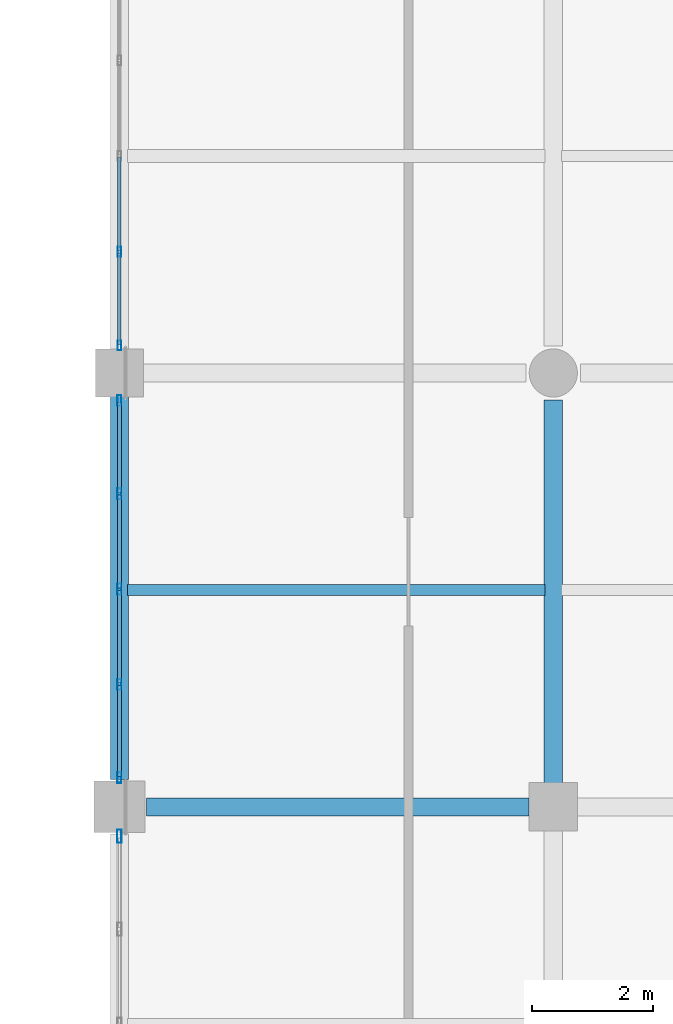
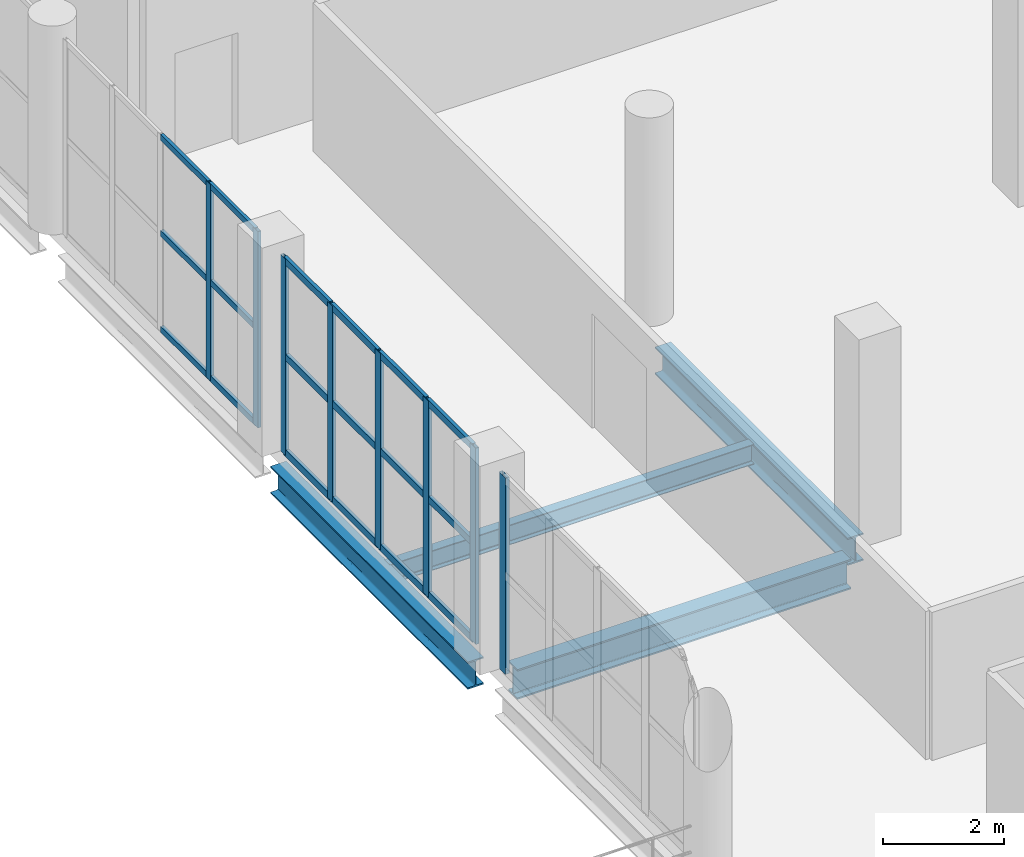
# One storey, part 79 of 153: 26 members, 4 beams, 3 elements without a shape of their own.
"""IFC4 building model written with IfcOpenShell, lengths in metres."""

from ifc_helpers import new_model, si_unit, direction, frame, origin, origin_2d, place, context, subcontext, project, spatial, hollow_rectangle, i_section, extrude, material, material_profile, profile_set, type_object, element, aggregate, save


model = new_model("IFC4")

# Units and contexts
model_context = context("Model", 3, precision=1e-05, world=origin(), true_north=direction((0.0, 1.0)))
body_context = subcontext(model_context, "Body", "Model", "MODEL_VIEW")
ifc_project = project(units=[si_unit("LENGTHUNIT", "METRE"), si_unit("AREAUNIT", "SQUARE_METRE"), si_unit("VOLUMEUNIT", "CUBIC_METRE"), si_unit("PLANEANGLEUNIT", "RADIAN"), si_unit("MASSUNIT", "GRAM", prefix="KILO")], contexts=[model_context])

# Site, building, storey
site_placement = place(None, origin())
site = spatial("IfcSite", under=ifc_project, at=site_placement, CompositionType="ELEMENT")
building_placement = place(site_placement, origin())
building = spatial("IfcBuilding", under=site, at=building_placement, Name="Qandorah Velis Arena", CompositionType="ELEMENT")
storey_placement = place(building_placement, frame((0.0, 0.0, 5.39990234375)))
storey = spatial("IfcBuildingStorey", under=building, at=storey_placement, Name="L01", CompositionType="ELEMENT", Elevation=5.39990234375)

# Curtain wall, members
ifc_material_1 = material(Name="Solar-control low-E double glazing", Category="glass")
curtain_wall_type_1 = type_object("IfcCurtainWallType", Name="ARC-CW-SYS03", PredefinedType="USERDEFINED", material=ifc_material_1)
curtain_wall_1_placement = place(storey_placement, origin())
curtain_wall_1 = element("IfcCurtainWall", 1, at=curtain_wall_1_placement, inside=storey, type_object=curtain_wall_type_1, Name="Unitised curtain wall L01-123", ObjectType="UNITISED CURTAIN WALL", PredefinedType="USERDEFINED")
ifc_material_2 = material(Name="Champagne-bronze anodized aluminium 6063-T6", Category="aluminium")
ifc_material_profile_1 = material_profile(ifc_material_2, hollow_rectangle(XDim=0.06005859375, YDim=0.159912109375, WallThickness=0.00341796875, at=origin_2d()), Name="ALU MULLION 60x160")
ifc_profile_set_1 = profile_set([ifc_material_profile_1], Name="Champagne-bronze anodized aluminium 6063-T6")
member_type_1 = type_object("IfcMemberType", Name="ARC-CWM-160", PredefinedType="MULLION", material=ifc_profile_set_1)
member_1_placement = place(storey_placement, frame((151.199951171875, 72.455078125, -0.014892578125), z_axis=(0.0, 0.0, 1.0), x_axis=(-1.0, 0.0, 0.0)))
member_1 = element("IfcMember", 2, at=member_1_placement, type_object=member_type_1, Name="CW03 mullion 1", PredefinedType="MULLION", context=body_context, shape_type="SweptSolid", body=[
    extrude(hollow_rectangle(XDim=0.06005859375, YDim=0.159912109375, WallThickness=0.00341796875, at=origin_2d()), origin(), (0.0, 0.0, 1.0), 3.949951171875),
])
member_2_placement = place(storey_placement, frame((151.199951171875, 74.012451171875, -0.014892578125), z_axis=(0.0, 0.0, 1.0), x_axis=(-1.0, 0.0, 0.0)))
member_2 = element("IfcMember", 3, at=member_2_placement, type_object=member_type_1, Name="CW03 mullion 2", PredefinedType="MULLION", context=body_context, shape_type="SweptSolid", body=[
    extrude(hollow_rectangle(XDim=0.06005859375, YDim=0.159912109375, WallThickness=0.00341796875, at=origin_2d()), origin(), (0.0, 0.0, 1.0), 3.949951171875),
])

curtain_wall_type_2 = type_object("IfcCurtainWallType", Name="ARC-CW-SYS02", PredefinedType="USERDEFINED", material=ifc_material_1)
curtain_wall_2_placement = place(storey_placement, origin())
curtain_wall_2 = element("IfcCurtainWall", 4, at=curtain_wall_2_placement, inside=storey, type_object=curtain_wall_type_2, Name="Unitised curtain wall L01-122", ObjectType="UNITISED CURTAIN WALL", PredefinedType="USERDEFINED")
ifc_material_profile_2 = material_profile(ifc_material_2, hollow_rectangle(XDim=0.06494140625, YDim=0.179931640625, WallThickness=0.00341796875, at=origin_2d()), Name="ALU MULLION 65x180")
ifc_profile_set_2 = profile_set([ifc_material_profile_2], Name="Champagne-bronze anodized aluminium 6063-T6")
member_type_2 = type_object("IfcMemberType", Name="ARC-CWM-180", PredefinedType="MULLION", material=ifc_profile_set_2)
member_3_placement = place(storey_placement, frame((151.199951171875, 65.282470703125, -0.014892578125), z_axis=(0.0, 0.0, 1.0), x_axis=(-1.0, 0.0, 0.0)))
member_3 = element("IfcMember", 5, at=member_3_placement, type_object=member_type_2, Name="CW02 mullion 1", PredefinedType="MULLION", context=body_context, shape_type="SweptSolid", body=[
    extrude(hollow_rectangle(XDim=0.06494140625, YDim=0.179931640625, WallThickness=0.00341796875, at=origin_2d()), origin(), (0.0, 0.0, 1.0), 3.949951171875),
])
member_4_placement = place(storey_placement, frame((151.199951171875, 66.831298828125, -0.014892578125), z_axis=(0.0, 0.0, 1.0), x_axis=(-1.0, 0.0, 0.0)))
member_4 = element("IfcMember", 6, at=member_4_placement, type_object=member_type_2, Name="CW02 mullion 2", PredefinedType="MULLION", context=body_context, shape_type="SweptSolid", body=[
    extrude(hollow_rectangle(XDim=0.06494140625, YDim=0.179931640625, WallThickness=0.00341796875, at=origin_2d()), origin(), (0.0, 0.0, 1.0), 3.949951171875),
])
member_5_placement = place(storey_placement, frame((151.199951171875, 68.41259765625, -0.014892578125), z_axis=(0.0, 0.0, 1.0), x_axis=(-1.0, 0.0, 0.0)))
member_5 = element("IfcMember", 7, at=member_5_placement, type_object=member_type_2, Name="CW02 mullion 3", PredefinedType="MULLION", context=body_context, shape_type="SweptSolid", body=[
    extrude(hollow_rectangle(XDim=0.06494140625, YDim=0.179931640625, WallThickness=0.00341796875, at=origin_2d()), origin(), (0.0, 0.0, 1.0), 3.949951171875),
])
member_6_placement = place(storey_placement, frame((151.199951171875, 69.99365234375, -0.014892578125), z_axis=(0.0, 0.0, 1.0), x_axis=(-1.0, 0.0, 0.0)))
member_6 = element("IfcMember", 8, at=member_6_placement, type_object=member_type_2, Name="CW02 mullion 4", PredefinedType="MULLION", context=body_context, shape_type="SweptSolid", body=[
    extrude(hollow_rectangle(XDim=0.06494140625, YDim=0.179931640625, WallThickness=0.00341796875, at=origin_2d()), origin(), (0.0, 0.0, 1.0), 3.949951171875),
])
member_7_placement = place(storey_placement, frame((151.199951171875, 71.54248046875, -0.014892578125), z_axis=(0.0, 0.0, 1.0), x_axis=(-1.0, 0.0, 0.0)))
member_7 = element("IfcMember", 9, at=member_7_placement, type_object=member_type_2, Name="CW02 mullion 5", PredefinedType="MULLION", context=body_context, shape_type="SweptSolid", body=[
    extrude(hollow_rectangle(XDim=0.06494140625, YDim=0.179931640625, WallThickness=0.00341796875, at=origin_2d()), origin(), (0.0, 0.0, 1.0), 3.949951171875),
])

# Curtain wall, member
curtain_wall_type_3 = type_object("IfcCurtainWallType", Name="ARC-CW-SYS01", PredefinedType="USERDEFINED", material=ifc_material_1)
curtain_wall_3_placement = place(storey_placement, origin())
curtain_wall_3 = element("IfcCurtainWall", 10, at=curtain_wall_3_placement, inside=storey, type_object=curtain_wall_type_3, Name="Unitised curtain wall L01-121", ObjectType="UNITISED CURTAIN WALL", PredefinedType="USERDEFINED")
ifc_material_profile_3 = material_profile(ifc_material_2, hollow_rectangle(XDim=0.074951171875, YDim=0.219970703125, WallThickness=0.00390625, at=origin_2d()), Name="ALU MULLION 75x220")
ifc_profile_set_3 = profile_set([ifc_material_profile_3], Name="Champagne-bronze anodized aluminium 6063-T6")
member_type_3 = type_object("IfcMemberType", Name="ARC-CWM-220", PredefinedType="MULLION", material=ifc_profile_set_3)
member_8_placement = place(storey_placement, frame((151.199951171875, 64.3125, -0.014892578125), z_axis=(0.0, 0.0, 1.0), x_axis=(-1.0, 0.0, 0.0)))
member_8 = element("IfcMember", 11, at=member_8_placement, type_object=member_type_3, Name="CW01 mullion 5", PredefinedType="MULLION", context=body_context, shape_type="SweptSolid", body=[
    extrude(hollow_rectangle(XDim=0.074951171875, YDim=0.219970703125, WallThickness=0.00390625, at=origin_2d()), origin(), (0.0, 0.0, 1.0), 3.949951171875),
])
aggregate(curtain_wall_3, [member_8])

# Member
ifc_material_profile_4 = material_profile(ifc_material_2, hollow_rectangle(XDim=0.06005859375, YDim=0.1201171875, WallThickness=0.0029296875, at=origin_2d()), Name="ALU TRANSOM 60x120")
ifc_profile_set_4 = profile_set([ifc_material_profile_4], Name="Champagne-bronze anodized aluminium 6063-T6")
member_type_4 = type_object("IfcMemberType", Name="ARC-CWT-120", PredefinedType="USERDEFINED", material=ifc_profile_set_4)
member_9_placement = place(storey_placement, frame((151.199951171875, 72.472900390625, 0.030029296875), z_axis=(0.0, 1.0, 0.0), x_axis=(-1.0, 0.0, 0.0)))
member_9 = element("IfcMember", 12, at=member_9_placement, type_object=member_type_4, Name="CW03 transom 1.1", ObjectType="TRANSOM", PredefinedType="USERDEFINED", context=body_context, shape_type="SweptSolid", body=[
    extrude(hollow_rectangle(XDim=0.06005859375, YDim=0.1201171875, WallThickness=0.0029296875, at=origin_2d()), origin(), (0.0, 0.0, 1.0), 1.521484375),
])

member_10_placement = place(storey_placement, frame((151.199951171875, 72.472900390625, 1.960205078125), z_axis=(0.0, 1.0, 0.0), x_axis=(-1.0, 0.0, 0.0)))
member_10 = element("IfcMember", 13, at=member_10_placement, type_object=member_type_4, Name="CW03 transom 1.2", ObjectType="TRANSOM", PredefinedType="USERDEFINED", context=body_context, shape_type="SweptSolid", body=[
    extrude(hollow_rectangle(XDim=0.06005859375, YDim=0.1201171875, WallThickness=0.0029296875, at=origin_2d()), origin(), (0.0, 0.0, 1.0), 1.521484375),
])

member_11_placement = place(storey_placement, frame((151.199951171875, 72.472900390625, 3.89013671875), z_axis=(0.0, 1.0, 0.0), x_axis=(-1.0, 0.0, 0.0)))
member_11 = element("IfcMember", 14, at=member_11_placement, type_object=member_type_4, Name="CW03 transom 1.3", ObjectType="TRANSOM", PredefinedType="USERDEFINED", context=body_context, shape_type="SweptSolid", body=[
    extrude(hollow_rectangle(XDim=0.06005859375, YDim=0.1201171875, WallThickness=0.0029296875, at=origin_2d()), origin(), (0.0, 0.0, 1.0), 1.521484375),
])

member_12_placement = place(storey_placement, frame((151.199951171875, 74.030517578125, 0.030029296875), z_axis=(0.0, 1.0, 0.0), x_axis=(-1.0, 0.0, 0.0)))
member_12 = element("IfcMember", 15, at=member_12_placement, type_object=member_type_4, Name="CW03 transom 2.1", ObjectType="TRANSOM", PredefinedType="USERDEFINED", context=body_context, shape_type="SweptSolid", body=[
    extrude(hollow_rectangle(XDim=0.06005859375, YDim=0.1201171875, WallThickness=0.0029296875, at=origin_2d()), origin(), (0.0, 0.0, 1.0), 1.551513671875),
])

member_13_placement = place(storey_placement, frame((151.199951171875, 74.030517578125, 1.960205078125), z_axis=(0.0, 1.0, 0.0), x_axis=(-1.0, 0.0, 0.0)))
member_13 = element("IfcMember", 16, at=member_13_placement, type_object=member_type_4, Name="CW03 transom 2.2", ObjectType="TRANSOM", PredefinedType="USERDEFINED", context=body_context, shape_type="SweptSolid", body=[
    extrude(hollow_rectangle(XDim=0.06005859375, YDim=0.1201171875, WallThickness=0.0029296875, at=origin_2d()), origin(), (0.0, 0.0, 1.0), 1.551513671875),
])

member_14_placement = place(storey_placement, frame((151.199951171875, 74.030517578125, 3.89013671875), z_axis=(0.0, 1.0, 0.0), x_axis=(-1.0, 0.0, 0.0)))
member_14 = element("IfcMember", 17, at=member_14_placement, type_object=member_type_4, Name="CW03 transom 2.3", ObjectType="TRANSOM", PredefinedType="USERDEFINED", context=body_context, shape_type="SweptSolid", body=[
    extrude(hollow_rectangle(XDim=0.06005859375, YDim=0.1201171875, WallThickness=0.0029296875, at=origin_2d()), origin(), (0.0, 0.0, 1.0), 1.551513671875),
])

aggregate(curtain_wall_1, [member_1, member_2, member_9, member_10, member_11, member_12, member_13, member_14])

ifc_material_profile_5 = material_profile(ifc_material_2, hollow_rectangle(XDim=0.06494140625, YDim=0.139892578125, WallThickness=0.0029296875, at=origin_2d()), Name="ALU TRANSOM 65x140")
ifc_profile_set_5 = profile_set([ifc_material_profile_5], Name="Champagne-bronze anodized aluminium 6063-T6")
member_type_5 = type_object("IfcMemberType", Name="ARC-CWT-140", PredefinedType="USERDEFINED", material=ifc_profile_set_5)
member_15_placement = place(storey_placement, frame((151.199951171875, 65.302978515625, 0.03271484375), z_axis=(0.0, 1.0, 0.0), x_axis=(-1.0, 0.0, 0.0)))
member_15 = element("IfcMember", 18, at=member_15_placement, type_object=member_type_5, Name="CW02 transom 1.1", ObjectType="TRANSOM", PredefinedType="USERDEFINED", context=body_context, shape_type="SweptSolid", body=[
    extrude(hollow_rectangle(XDim=0.06494140625, YDim=0.139892578125, WallThickness=0.0029296875, at=origin_2d()), origin(), (0.0, 0.0, 1.0), 1.5078125),
])

member_16_placement = place(storey_placement, frame((151.199951171875, 65.302978515625, 1.960205078125), z_axis=(0.0, 1.0, 0.0), x_axis=(-1.0, 0.0, 0.0)))
member_16 = element("IfcMember", 19, at=member_16_placement, type_object=member_type_5, Name="CW02 transom 1.2", ObjectType="TRANSOM", PredefinedType="USERDEFINED", context=body_context, shape_type="SweptSolid", body=[
    extrude(hollow_rectangle(XDim=0.06494140625, YDim=0.139892578125, WallThickness=0.0029296875, at=origin_2d()), origin(), (0.0, 0.0, 1.0), 1.5078125),
])

member_17_placement = place(storey_placement, frame((151.199951171875, 65.302978515625, 3.8876953125), z_axis=(0.0, 1.0, 0.0), x_axis=(-1.0, 0.0, 0.0)))
member_17 = element("IfcMember", 20, at=member_17_placement, type_object=member_type_5, Name="CW02 transom 1.3", ObjectType="TRANSOM", PredefinedType="USERDEFINED", context=body_context, shape_type="SweptSolid", body=[
    extrude(hollow_rectangle(XDim=0.06494140625, YDim=0.139892578125, WallThickness=0.0029296875, at=origin_2d()), origin(), (0.0, 0.0, 1.0), 1.5078125),
])

member_18_placement = place(storey_placement, frame((151.199951171875, 66.851806640625, 0.03271484375), z_axis=(0.0, 1.0, 0.0), x_axis=(-1.0, 0.0, 0.0)))
member_18 = element("IfcMember", 21, at=member_18_placement, type_object=member_type_5, Name="CW02 transom 2.1", ObjectType="TRANSOM", PredefinedType="USERDEFINED", context=body_context, shape_type="SweptSolid", body=[
    extrude(hollow_rectangle(XDim=0.06494140625, YDim=0.139892578125, WallThickness=0.0029296875, at=origin_2d()), origin(), (0.0, 0.0, 1.0), 1.540283203125),
])

member_19_placement = place(storey_placement, frame((151.199951171875, 66.851806640625, 1.960205078125), z_axis=(0.0, 1.0, 0.0), x_axis=(-1.0, 0.0, 0.0)))
member_19 = element("IfcMember", 22, at=member_19_placement, type_object=member_type_5, Name="CW02 transom 2.2", ObjectType="TRANSOM", PredefinedType="USERDEFINED", context=body_context, shape_type="SweptSolid", body=[
    extrude(hollow_rectangle(XDim=0.06494140625, YDim=0.139892578125, WallThickness=0.0029296875, at=origin_2d()), origin(), (0.0, 0.0, 1.0), 1.540283203125),
])

member_20_placement = place(storey_placement, frame((151.199951171875, 66.851806640625, 3.8876953125), z_axis=(0.0, 1.0, 0.0), x_axis=(-1.0, 0.0, 0.0)))
member_20 = element("IfcMember", 23, at=member_20_placement, type_object=member_type_5, Name="CW02 transom 2.3", ObjectType="TRANSOM", PredefinedType="USERDEFINED", context=body_context, shape_type="SweptSolid", body=[
    extrude(hollow_rectangle(XDim=0.06494140625, YDim=0.139892578125, WallThickness=0.0029296875, at=origin_2d()), origin(), (0.0, 0.0, 1.0), 1.540283203125),
])

member_21_placement = place(storey_placement, frame((151.199951171875, 68.43310546875, 0.03271484375), z_axis=(0.0, 1.0, 0.0), x_axis=(-1.0, 0.0, 0.0)))
member_21 = element("IfcMember", 24, at=member_21_placement, type_object=member_type_5, Name="CW02 transom 3.1", ObjectType="TRANSOM", PredefinedType="USERDEFINED", context=body_context, shape_type="SweptSolid", body=[
    extrude(hollow_rectangle(XDim=0.06494140625, YDim=0.139892578125, WallThickness=0.0029296875, at=origin_2d()), origin(), (0.0, 0.0, 1.0), 1.540283203125),
])

member_22_placement = place(storey_placement, frame((151.199951171875, 68.43310546875, 1.960205078125), z_axis=(0.0, 1.0, 0.0), x_axis=(-1.0, 0.0, 0.0)))
member_22 = element("IfcMember", 25, at=member_22_placement, type_object=member_type_5, Name="CW02 transom 3.2", ObjectType="TRANSOM", PredefinedType="USERDEFINED", context=body_context, shape_type="SweptSolid", body=[
    extrude(hollow_rectangle(XDim=0.06494140625, YDim=0.139892578125, WallThickness=0.0029296875, at=origin_2d()), origin(), (0.0, 0.0, 1.0), 1.540283203125),
])

member_23_placement = place(storey_placement, frame((151.199951171875, 68.43310546875, 3.8876953125), z_axis=(0.0, 1.0, 0.0), x_axis=(-1.0, 0.0, 0.0)))
member_23 = element("IfcMember", 26, at=member_23_placement, type_object=member_type_5, Name="CW02 transom 3.3", ObjectType="TRANSOM", PredefinedType="USERDEFINED", context=body_context, shape_type="SweptSolid", body=[
    extrude(hollow_rectangle(XDim=0.06494140625, YDim=0.139892578125, WallThickness=0.0029296875, at=origin_2d()), origin(), (0.0, 0.0, 1.0), 1.540283203125),
])

member_24_placement = place(storey_placement, frame((151.199951171875, 70.014404296875, 0.03271484375), z_axis=(0.0, 1.0, 0.0), x_axis=(-1.0, 0.0, 0.0)))
member_24 = element("IfcMember", 27, at=member_24_placement, type_object=member_type_5, Name="CW02 transom 4.1", ObjectType="TRANSOM", PredefinedType="USERDEFINED", context=body_context, shape_type="SweptSolid", body=[
    extrude(hollow_rectangle(XDim=0.06494140625, YDim=0.139892578125, WallThickness=0.0029296875, at=origin_2d()), origin(), (0.0, 0.0, 1.0), 1.507568359375),
])

member_25_placement = place(storey_placement, frame((151.199951171875, 70.014404296875, 1.960205078125), z_axis=(0.0, 1.0, 0.0), x_axis=(-1.0, 0.0, 0.0)))
member_25 = element("IfcMember", 28, at=member_25_placement, type_object=member_type_5, Name="CW02 transom 4.2", ObjectType="TRANSOM", PredefinedType="USERDEFINED", context=body_context, shape_type="SweptSolid", body=[
    extrude(hollow_rectangle(XDim=0.06494140625, YDim=0.139892578125, WallThickness=0.0029296875, at=origin_2d()), origin(), (0.0, 0.0, 1.0), 1.507568359375),
])

member_26_placement = place(storey_placement, frame((151.199951171875, 70.014404296875, 3.8876953125), z_axis=(0.0, 1.0, 0.0), x_axis=(-1.0, 0.0, 0.0)))
member_26 = element("IfcMember", 29, at=member_26_placement, type_object=member_type_5, Name="CW02 transom 4.3", ObjectType="TRANSOM", PredefinedType="USERDEFINED", context=body_context, shape_type="SweptSolid", body=[
    extrude(hollow_rectangle(XDim=0.06494140625, YDim=0.139892578125, WallThickness=0.0029296875, at=origin_2d()), origin(), (0.0, 0.0, 1.0), 1.507568359375),
])

aggregate(curtain_wall_2, [member_3, member_4, member_5, member_6, member_7, member_15, member_16, member_17, member_18, member_19, member_20, member_21, member_22, member_23, member_24, member_25, member_26])

# Beams
ifc_material_3 = material(Name="Steel S355", Category="steel")
ifc_material_profile_6 = material_profile(ifc_material_3, i_section(OverallWidth=0.300048828125, OverallDepth=0.550048828125, WebThickness=0.014892578125, FlangeThickness=0.029052734375, FilletRadius=0.027099609375, at=origin_2d()), Name="HEB 550")
ifc_profile_set_6 = profile_set([ifc_material_profile_6], Name="Steel S355")
beam_type_1 = type_object("IfcBeamType", Name="STR-BM-HEB550", PredefinedType="BEAM", material=ifc_profile_set_6)
beam_1_placement = place(storey_placement, frame((151.199951171875, 65.25, -0.635009765625), z_axis=(0.0, 1.0, 0.0), x_axis=(-1.0, 0.0, 0.0)))
element("IfcBeam", 30, at=beam_1_placement, inside=storey, type_object=beam_type_1, Name="Primary floor girder L01 Y-410", PredefinedType="BEAM", context=body_context, shape_type="SweptSolid", body=[
    extrude(i_section(OverallWidth=0.300048828125, OverallDepth=0.550048828125, WebThickness=0.014892578125, FlangeThickness=0.029052734375, FilletRadius=0.027099609375, at=origin_2d()), origin(), (0.0, 0.0, 1.0), 6.5),
])
beam_2_placement = place(storey_placement, frame((158.39990234375, 65.199951171875, -0.635009765625), z_axis=(0.0, 1.0, 0.0), x_axis=(-1.0, 0.0, 0.0)))
element("IfcBeam", 31, at=beam_2_placement, inside=storey, type_object=beam_type_1, Name="Primary floor girder L01 Y-414", PredefinedType="BEAM", context=body_context, shape_type="SweptSolid", body=[
    extrude(i_section(OverallWidth=0.300048828125, OverallDepth=0.550048828125, WebThickness=0.014892578125, FlangeThickness=0.029052734375, FilletRadius=0.027099609375, at=origin_2d()), origin(), (0.0, 0.0, 1.0), 6.35009765625),
])
ifc_material_profile_7 = material_profile(ifc_material_3, i_section(OverallWidth=0.300048828125, OverallDepth=0.60009765625, WebThickness=0.015380859375, FlangeThickness=0.030029296875, FilletRadius=0.027099609375, at=origin_2d()), Name="HEB 600")
ifc_profile_set_7 = profile_set([ifc_material_profile_7], Name="Steel S355")
beam_type_2 = type_object("IfcBeamType", Name="STR-BM-HEB600", PredefinedType="BEAM", material=ifc_profile_set_7)
beam_3_placement = place(storey_placement, frame((151.64990234375, 64.800048828125, -0.659912109375), z_axis=(1.0, 0.0, 0.0), x_axis=(0.0, 1.0, 0.0)))
element("IfcBeam", 32, at=beam_3_placement, inside=storey, type_object=beam_type_2, Name="Primary floor girder L01 X-113", PredefinedType="BEAM", context=body_context, shape_type="SweptSolid", body=[
    extrude(i_section(OverallWidth=0.300048828125, OverallDepth=0.60009765625, WebThickness=0.015380859375, FlangeThickness=0.030029296875, FilletRadius=0.027099609375, at=origin_2d()), origin(), (0.0, 0.0, 1.0), 6.35009765625),
])
ifc_material_profile_8 = material_profile(ifc_material_3, i_section(OverallWidth=0.179931640625, OverallDepth=0.39990234375, WebThickness=0.008544921875, FlangeThickness=0.013427734375, FilletRadius=0.02099609375, at=origin_2d()), Name="IPE 400")
ifc_profile_set_8 = profile_set([ifc_material_profile_8], Name="Steel S355")
beam_type_3 = type_object("IfcBeamType", Name="STR-JST-IPE400", PredefinedType="JOIST", material=ifc_profile_set_8)
beam_4_placement = place(storey_placement, frame((151.3349609375, 68.39990234375, -0.559814453125), z_axis=(1.0, 0.0, 0.0), x_axis=(0.0, 1.0, 0.0)))
element("IfcBeam", 33, at=beam_4_placement, inside=storey, type_object=beam_type_3, Name="Secondary floor joist L01-147", PredefinedType="JOIST", context=body_context, shape_type="SweptSolid", body=[
    extrude(i_section(OverallWidth=0.179931640625, OverallDepth=0.39990234375, WebThickness=0.008544921875, FlangeThickness=0.013427734375, FilletRadius=0.02099609375, at=origin_2d()), origin(), (0.0, 0.0, 1.0), 6.929931640625),
])

save(model, "model.ifc")
